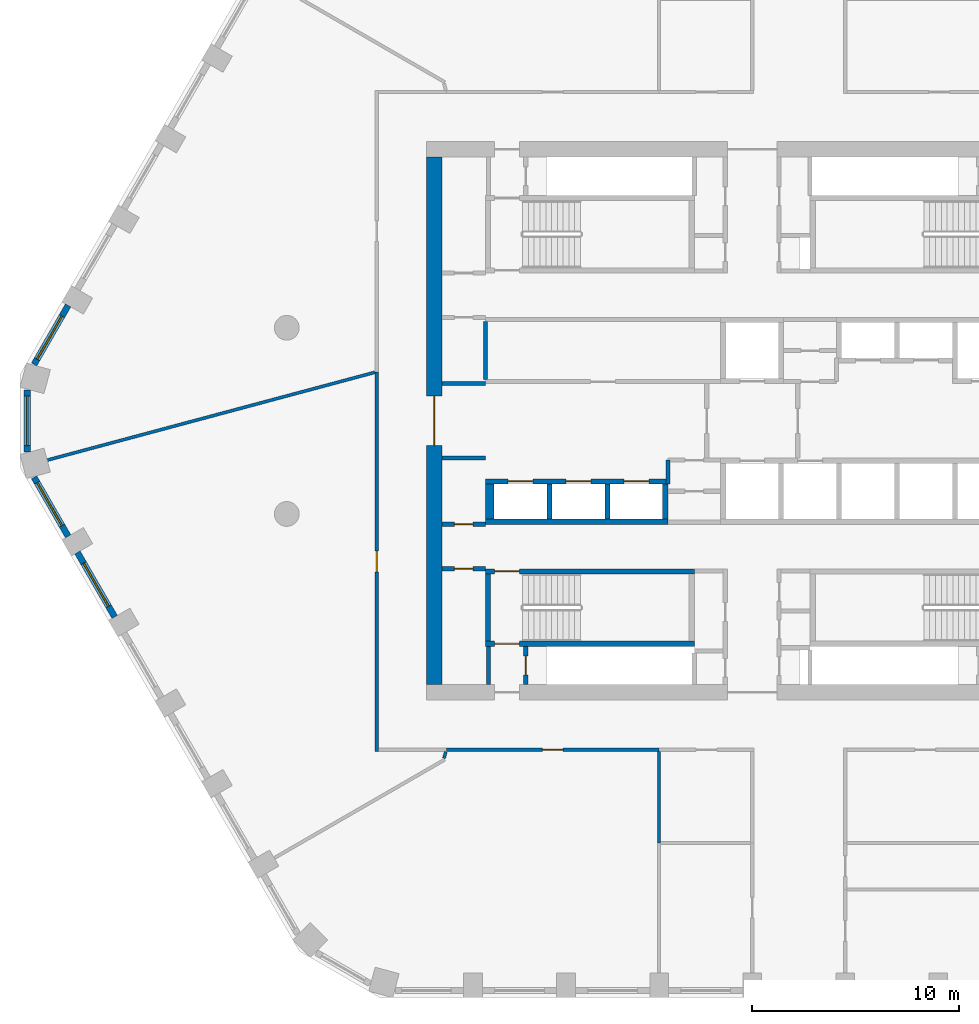
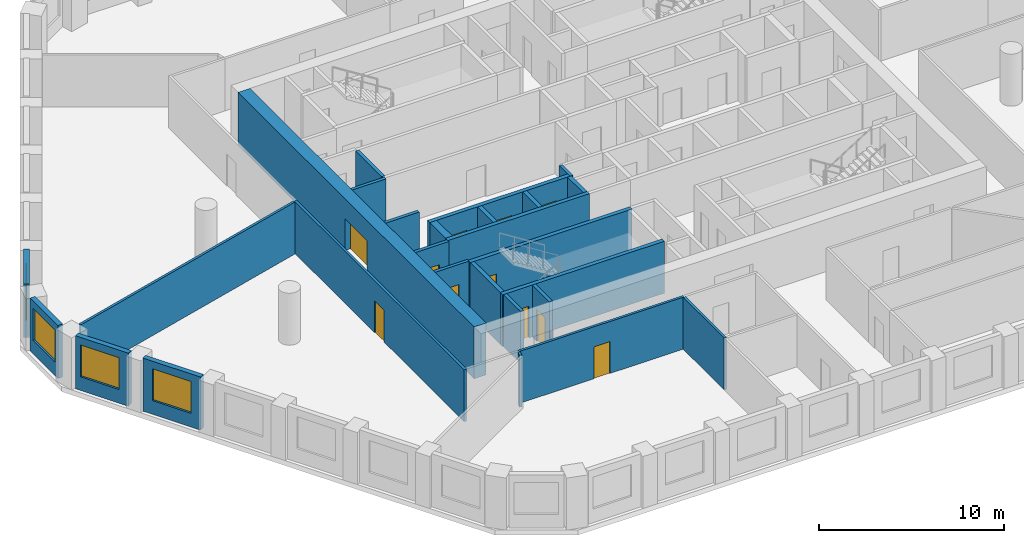
# One storey, part 2 of 9: 27 walls, 11 doors, 4 windows, 15 openings.
"""IFC4 building model written with IfcOpenShell, lengths in metres."""

from ifc_helpers import new_model, si_unit, direction, frame, frame_2d, origin, place, context, subcontext, project, spatial, polyline, rectangle, outline, extrude, material, layer, layer_set, type_object, element, fill, save


model = new_model("IFC4")

# Units and contexts
model_context = context("Model", 3, precision=1e-05, world=origin(), true_north=direction((0.0, 1.0)))
body_context = subcontext(model_context, "Body", "Model", "MODEL_VIEW")
ifc_project = project(units=[si_unit("LENGTHUNIT", "METRE"), si_unit("AREAUNIT", "SQUARE_METRE"), si_unit("VOLUMEUNIT", "CUBIC_METRE"), si_unit("PLANEANGLEUNIT", "RADIAN"), si_unit("MASSUNIT", "GRAM", prefix="KILO")], contexts=[model_context])

# Site, building, storey
site_placement = place(None, origin())
site = spatial("IfcSite", under=ifc_project, at=site_placement, CompositionType="ELEMENT")
building_placement = place(site_placement, origin())
building = spatial("IfcBuilding", under=site, at=building_placement, Name="Dhurran Vertical Campus", CompositionType="ELEMENT")
storey_placement = place(building_placement, frame((0.0, 0.0, 175.5)))
storey = spatial("IfcBuildingStorey", under=building, at=storey_placement, Name="L43", CompositionType="ELEMENT", Elevation=175.5)

# Wall, opening, window
ifc_material_1 = material(Name="Precast concrete C50/60", Category="concrete")
ifc_layer_1 = layer(ifc_material_1, 0.300048828125)
ifc_layer_set_1 = layer_set([ifc_layer_1], Name="Precast concrete C50/60")
wall_type_1 = type_object("IfcWallType", Name="Precast spandrel wall 300", PredefinedType="SOLIDWALL", material=ifc_layer_set_1)
wall_1_placement = place(storey_placement, frame((-33.0693359375, 5.58203125, 0.0), z_axis=(0.0, 0.0, 1.0), x_axis=(-0.499981217486, -0.866036247602, 0.0)))
wall_1 = element("IfcWall", 1, at=wall_1_placement, inside=storey, type_object=wall_type_1, Name="EW1 L43.37", PredefinedType="SOLIDWALL", context=body_context, shape_type="SweptSolid", body=[
    extrude(rectangle(XDim=3.294189453125, YDim=0.300048828125, at=frame_2d((1.64697265625, 0.0))), origin(), (0.0, 0.0, 1.0), 3.5),
])
opening_1_placement = place(wall_1_placement, frame((0.599609375, 0.0, 0.89990234375)))
opening_1 = element("IfcOpeningElement", 2, at=opening_1_placement, cuts=wall_1, Name="Opening WT1", PredefinedType="OPENING", context=body_context, shape_type="SweptSolid", body=[
    extrude(rectangle(XDim=2.39990234375, YDim=2.10009765625, at=frame_2d((1.199951171875, 1.050048828125))), frame((0.0, 0.159912109375, 0.0), z_axis=(0.0, -1.0, 0.0), x_axis=(1.0, 0.0, 0.0)), (0.0, 0.0, 1.0), 0.320068359375),
])
ifc_material_2 = material(Name="Aluminium frame with solar-control glass", Category="aluminium")
window_type = type_object("IfcWindowType", Name="Punched window 2400 x 2100", PartitioningType="SINGLE_PANEL", PredefinedType="WINDOW", material=ifc_material_2)
window_1_placement = place(opening_1_placement, origin())
window_1 = element("IfcWindow", 3, at=window_1_placement, inside=storey, type_object=window_type, Name="WT1 L43.37", OverallHeight=2.10009765625, OverallWidth=2.39990234375, PartitioningType="SINGLE_PANEL", PredefinedType="WINDOW", context=body_context, shape_type="SweptSolid", body=[
    extrude(rectangle(XDim=2.39990234375, YDim=2.10009765625, at=frame_2d((1.199951171875, 1.050048828125))), frame((0.0, 0.030029296875, 0.0), z_axis=(0.0, -1.0, 0.0), x_axis=(1.0, 0.0, 0.0)), (0.0, 0.0, 1.0), 0.06005859375),
])
fill(opening_1, window_1)

wall_2_placement = place(storey_placement, frame((-35.047119140625, 1.49462890625, 0.0), z_axis=(0.0, 0.0, 1.0), x_axis=(0.0, -1.0, 0.0)))
wall_2 = element("IfcWall", 4, at=wall_2_placement, inside=storey, type_object=wall_type_1, Name="EW1 L43.38", PredefinedType="SOLIDWALL", context=body_context, shape_type="SweptSolid", body=[
    extrude(rectangle(XDim=2.9892578125, YDim=0.300048828125, at=frame_2d((1.49462890625, 0.0))), origin(), (0.0, 0.0, 1.0), 3.5),
])
opening_2_placement = place(wall_2_placement, frame((0.294677734375, 0.0, 0.89990234375)))
opening_2 = element("IfcOpeningElement", 5, at=opening_2_placement, cuts=wall_2, Name="Opening WT1", PredefinedType="OPENING", context=body_context, shape_type="SweptSolid", body=[
    extrude(rectangle(XDim=2.39990234375, YDim=2.10009765625, at=frame_2d((1.199951171875, 1.050048828125))), frame((0.0, 0.159912109375, 0.0), z_axis=(0.0, -1.0, 0.0), x_axis=(1.0, 0.0, 0.0)), (0.0, 0.0, 1.0), 0.320068359375),
])
window_2_placement = place(opening_2_placement, origin())
window_2 = element("IfcWindow", 6, at=window_2_placement, inside=storey, type_object=window_type, Name="WT1 L43.38", OverallHeight=2.10009765625, OverallWidth=2.39990234375, PartitioningType="SINGLE_PANEL", PredefinedType="WINDOW", context=body_context, shape_type="SweptSolid", body=[
    extrude(rectangle(XDim=2.39990234375, YDim=2.10009765625, at=frame_2d((1.199951171875, 1.050048828125))), frame((0.0, 0.030029296875, 0.0), z_axis=(0.0, -1.0, 0.0), x_axis=(1.0, 0.0, 0.0)), (0.0, 0.0, 1.0), 0.06005859375),
])
fill(opening_2, window_2)

wall_3_placement = place(storey_placement, frame((-34.71630859375, -2.729248046875, 0.0), z_axis=(0.0, 0.0, 1.0), x_axis=(0.499981217486, -0.866036247602, 0.0)))
wall_3 = element("IfcWall", 7, at=wall_3_placement, inside=storey, type_object=wall_type_1, Name="EW1 L43.39", PredefinedType="SOLIDWALL", context=body_context, shape_type="SweptSolid", body=[
    extrude(rectangle(XDim=3.294189453125, YDim=0.300048828125, at=frame_2d((1.64697265625, 0.0))), origin(), (0.0, 0.0, 1.0), 3.5),
])
opening_3_placement = place(wall_3_placement, frame((0.294677734375, 0.0, 0.89990234375)))
opening_3 = element("IfcOpeningElement", 8, at=opening_3_placement, cuts=wall_3, Name="Opening WT1", PredefinedType="OPENING", context=body_context, shape_type="SweptSolid", body=[
    extrude(rectangle(XDim=2.39990234375, YDim=2.10009765625, at=frame_2d((1.199951171875, 1.050048828125))), frame((0.0, 0.159912109375, 0.0), z_axis=(0.0, -1.0, 0.0), x_axis=(1.0, 0.0, 0.0)), (0.0, 0.0, 1.0), 0.320068359375),
])
window_3_placement = place(opening_3_placement, origin())
window_3 = element("IfcWindow", 9, at=window_3_placement, inside=storey, type_object=window_type, Name="WT1 L43.39", OverallHeight=2.10009765625, OverallWidth=2.39990234375, PartitioningType="SINGLE_PANEL", PredefinedType="WINDOW", context=body_context, shape_type="SweptSolid", body=[
    extrude(rectangle(XDim=2.39990234375, YDim=2.10009765625, at=frame_2d((1.199951171875, 1.050048828125))), frame((0.0, 0.030029296875, 0.0), z_axis=(0.0, -1.0, 0.0), x_axis=(1.0, 0.0, 0.0)), (0.0, 0.0, 1.0), 0.06005859375),
])
fill(opening_3, window_3)

wall_4_placement = place(storey_placement, frame((-32.618896484375, -6.3623046875, 0.0), z_axis=(0.0, 0.0, 1.0), x_axis=(0.500027802648, -0.866009351323, 0.0)))
wall_4 = element("IfcWall", 10, at=wall_4_placement, inside=storey, type_object=wall_type_1, Name="EW1 L43.40", PredefinedType="SOLIDWALL", context=body_context, shape_type="SweptSolid", body=[
    extrude(rectangle(XDim=3.598876953125, YDim=0.300048828125, at=frame_2d((1.79931640625, 0.0))), origin(), (0.0, 0.0, 1.0), 3.5),
])
opening_4_placement = place(wall_4_placement, frame((0.599609375, 0.0, 0.89990234375)))
opening_4 = element("IfcOpeningElement", 11, at=opening_4_placement, cuts=wall_4, Name="Opening WT1", PredefinedType="OPENING", context=body_context, shape_type="SweptSolid", body=[
    extrude(rectangle(XDim=2.39990234375, YDim=2.10009765625, at=frame_2d((1.199951171875, 1.050048828125))), frame((0.0, 0.159912109375, 0.0), z_axis=(0.0, -1.0, 0.0), x_axis=(1.0, 0.0, 0.0)), (0.0, 0.0, 1.0), 0.320068359375),
])
window_4_placement = place(opening_4_placement, origin())
window_4 = element("IfcWindow", 12, at=window_4_placement, inside=storey, type_object=window_type, Name="WT1 L43.40", OverallHeight=2.10009765625, OverallWidth=2.39990234375, PartitioningType="SINGLE_PANEL", PredefinedType="WINDOW", context=body_context, shape_type="SweptSolid", body=[
    extrude(rectangle(XDim=2.39990234375, YDim=2.10009765625, at=frame_2d((1.199951171875, 1.050048828125))), frame((0.0, 0.030029296875, 0.0), z_axis=(0.0, -1.0, 0.0), x_axis=(1.0, 0.0, 0.0)), (0.0, 0.0, 1.0), 0.06005859375),
])
fill(opening_4, window_4)

# Wall, opening, door
ifc_material_3 = material(Name="Concrete C60/75", Category="concrete")
ifc_layer_2 = layer(ifc_material_3, 0.75)
ifc_layer_set_2 = layer_set([ifc_layer_2], Name="Concrete C60/75")
wall_type_2 = type_object("IfcWallType", Name="co-CORE-WALL-C1-750", PredefinedType="SHEAR", material=ifc_layer_set_2)
wall_5_placement = place(storey_placement, frame((-15.375, -12.75, 0.0), z_axis=(0.0, 0.0, 1.0), x_axis=(0.0, 1.0, 0.0)))
wall_5 = element("IfcWall", 13, at=wall_5_placement, inside=storey, type_object=wall_type_2, Name="Core wall W L43", PredefinedType="SHEAR", context=body_context, shape_type="SweptSolid", body=[
    extrude(rectangle(XDim=25.5, YDim=0.75, at=frame_2d((12.75, 0.0))), origin(), (0.0, 0.0, 1.0), 3.425048828125),
])
opening_5_placement = place(wall_5_placement, frame((11.550048828125, 0.0, 0.0)))
opening_5 = element("IfcOpeningElement", 14, at=opening_5_placement, cuts=wall_5, Name="Opening CL1", PredefinedType="OPENING", context=body_context, shape_type="SweptSolid", body=[
    extrude(rectangle(XDim=2.39990234375, YDim=2.10009765625, at=frame_2d((1.199951171875, 1.050048828125))), frame((0.0, 0.385009765625, 0.0), z_axis=(0.0, -1.0, 0.0), x_axis=(1.0, 0.0, 0.0)), (0.0, 0.0, 1.0), 0.77001953125),
])
ifc_material_4 = material(Name="Fire-rated glazed door set")
door_type_1 = type_object("IfcDoorType", Name="co-D-LOBBY 2400x2100", OperationType="DOUBLE_DOOR_DOUBLE_SWING", PredefinedType="DOOR", material=ifc_material_4)
door_1_placement = place(opening_5_placement, origin())
door_1 = element("IfcDoor", 15, at=door_1_placement, inside=storey, type_object=door_type_1, Name="Lift lobby door W L43", OperationType="DOUBLE_DOOR_DOUBLE_SWING", OverallHeight=2.10009765625, OverallWidth=2.39990234375, PredefinedType="DOOR", context=body_context, shape_type="SweptSolid", body=[
    extrude(rectangle(XDim=2.39990234375, YDim=2.10009765625, at=frame_2d((1.199951171875, 1.050048828125))), frame((0.0, 0.02490234375, 0.0), z_axis=(0.0, -1.0, 0.0), x_axis=(1.0, 0.0, 0.0)), (0.0, 0.0, 1.0), 0.050048828125),
])
fill(opening_5, door_1)

# Wall
ifc_material_5 = material(Name="Fire-rated masonry blockwork", Category="masonry")
ifc_layer_3 = layer(ifc_material_5, 0.199951171875)
ifc_layer_set_3 = layer_set([ifc_layer_3], Name="Fire-rated masonry blockwork")
wall_type_3 = type_object("IfcWallType", Name="co-FIRE-PARTITION-200", PredefinedType="PARTITIONING", material=ifc_layer_set_3)
wall_6_placement = place(storey_placement, frame((-12.75, -12.75, 0.0), z_axis=(0.0, 0.0, 1.0), x_axis=(0.0, 1.0, 0.0)))
element("IfcWall", 16, at=wall_6_placement, inside=storey, type_object=wall_type_3, Name="Core partition pass-ST3-o L43", PredefinedType="PARTITIONING", context=body_context, shape_type="SweptSolid", body=[
    extrude(rectangle(XDim=1.85009765625, YDim=0.199951171875, at=frame_2d((0.925048828125, 0.0))), origin(), (0.0, 0.0, 1.0), 3.425048828125),
])

# Wall, opening, door
wall_7_placement = place(storey_placement, frame((-10.949951171875, -12.75, 0.0), z_axis=(0.0, 0.0, 1.0), x_axis=(0.0, 1.0, 0.0)))
wall_7 = element("IfcWall", 17, at=wall_7_placement, inside=storey, type_object=wall_type_3, Name="Core partition pass-ST3-i L43", PredefinedType="PARTITIONING", context=body_context, shape_type="SweptSolid", body=[
    extrude(rectangle(XDim=1.85009765625, YDim=0.199951171875, at=frame_2d((0.925048828125, 0.0))), origin(), (0.0, 0.0, 1.0), 3.425048828125),
])
opening_6_placement = place(wall_7_placement, frame((0.47509765625, 0.0, 0.0)))
opening_6 = element("IfcOpeningElement", 18, at=opening_6_placement, cuts=wall_7, Name="Opening T12-C12", PredefinedType="OPENING", context=body_context, shape_type="SweptSolid", body=[
    extrude(rectangle(XDim=0.89990234375, YDim=2.10009765625, at=frame_2d((0.449951171875, 1.050048828125))), frame((0.0, 0.10986328125, 0.0), z_axis=(0.0, -1.0, 0.0), x_axis=(1.0, 0.0, 0.0)), (0.0, 0.0, 1.0), 0.219970703125),
])
ifc_material_6 = material(Name="Fire-rated timber door set", Category="wood")
door_type_2 = type_object("IfcDoorType", Name="co-D-ROOM 900x2100", OperationType="SINGLE_SWING_LEFT", PredefinedType="DOOR", material=ifc_material_6)
door_2_placement = place(opening_6_placement, origin())
door_2 = element("IfcDoor", 19, at=door_2_placement, inside=storey, type_object=door_type_2, Name="Riser room door L43", OperationType="SINGLE_SWING_LEFT", OverallHeight=2.10009765625, OverallWidth=0.89990234375, PredefinedType="DOOR", context=body_context, shape_type="SweptSolid", body=[
    extrude(rectangle(XDim=0.89990234375, YDim=2.10009765625, at=frame_2d((0.449951171875, 1.050048828125))), frame((0.0, 0.02490234375, 0.0), z_axis=(0.0, -1.0, 0.0), x_axis=(1.0, 0.0, 0.0)), (0.0, 0.0, 1.0), 0.050048828125),
])
fill(opening_6, door_2)

# Wall
wall_8_placement = place(storey_placement, frame((-15.0, 1.800048828125, 0.0), z_axis=(0.0, 0.0, 1.0), x_axis=(1.0, 0.0, 0.0)))
element("IfcWall", 20, at=wall_8_placement, inside=storey, type_object=wall_type_3, Name="Core partition es-NW-l L43", PredefinedType="PARTITIONING", context=body_context, shape_type="SweptSolid", body=[
    extrude(rectangle(XDim=2.10009765625, YDim=0.199951171875, at=frame_2d((1.050048828125, 0.0))), origin(), (0.0, 0.0, 1.0), 3.425048828125),
])

# Wall, opening, door
wall_9_placement = place(storey_placement, frame((-15.0, -7.14990234375, 0.0), z_axis=(0.0, 0.0, 1.0), x_axis=(1.0, 0.0, 0.0)))
wall_9 = element("IfcWall", 21, at=wall_9_placement, inside=storey, type_object=wall_type_3, Name="Core partition en-SW-w L43", PredefinedType="PARTITIONING", context=body_context, shape_type="SweptSolid", body=[
    extrude(rectangle(XDim=2.10009765625, YDim=0.199951171875, at=frame_2d((1.050048828125, 0.0))), origin(), (0.0, 0.0, 1.0), 3.425048828125),
])
opening_7_placement = place(wall_9_placement, frame((0.60009765625, 0.0, 0.0)))
opening_7 = element("IfcOpeningElement", 22, at=opening_7_placement, cuts=wall_9, Name="Opening T12-C18", PredefinedType="OPENING", context=body_context, shape_type="SweptSolid", body=[
    extrude(rectangle(XDim=0.89990234375, YDim=2.10009765625, at=frame_2d((0.449951171875, 1.050048828125))), frame((0.0, 0.10986328125, 0.0), z_axis=(0.0, -1.0, 0.0), x_axis=(1.0, 0.0, 0.0)), (0.0, 0.0, 1.0), 0.219970703125),
])
door_3_placement = place(opening_7_placement, origin())
door_3 = element("IfcDoor", 23, at=door_3_placement, inside=storey, type_object=door_type_2, Name="Waste room door L43", OperationType="SINGLE_SWING_LEFT", OverallHeight=2.10009765625, OverallWidth=0.89990234375, PredefinedType="DOOR", context=body_context, shape_type="SweptSolid", body=[
    extrude(rectangle(XDim=0.89990234375, YDim=2.10009765625, at=frame_2d((0.449951171875, 1.050048828125))), frame((0.0, 0.02490234375, 0.0), z_axis=(0.0, -1.0, 0.0), x_axis=(1.0, 0.0, 0.0)), (0.0, 0.0, 1.0), 0.050048828125),
])
fill(opening_7, door_3)

wall_10_placement = place(storey_placement, frame((-15.0, -5.0, 0.0), z_axis=(0.0, 0.0, 1.0), x_axis=(1.0, 0.0, 0.0)))
wall_10 = element("IfcWall", 24, at=wall_10_placement, inside=storey, type_object=wall_type_3, Name="Core partition es-SW-w L43", PredefinedType="PARTITIONING", context=body_context, shape_type="SweptSolid", body=[
    extrude(rectangle(XDim=2.10009765625, YDim=0.199951171875, at=frame_2d((1.050048828125, 0.0))), origin(), (0.0, 0.0, 1.0), 3.425048828125),
])
opening_8_placement = place(wall_10_placement, frame((0.60009765625, 0.0, 0.0)))
opening_8 = element("IfcOpeningElement", 25, at=opening_8_placement, cuts=wall_10, Name="Opening T12-C19", PredefinedType="OPENING", context=body_context, shape_type="SweptSolid", body=[
    extrude(rectangle(XDim=0.89990234375, YDim=2.10009765625, at=frame_2d((0.449951171875, 1.050048828125))), frame((0.0, 0.10986328125, 0.0), z_axis=(0.0, -1.0, 0.0), x_axis=(1.0, 0.0, 0.0)), (0.0, 0.0, 1.0), 0.219970703125),
])
door_4_placement = place(opening_8_placement, origin())
door_4 = element("IfcDoor", 26, at=door_4_placement, inside=storey, type_object=door_type_2, Name="Print room door L43", OperationType="SINGLE_SWING_LEFT", OverallHeight=2.10009765625, OverallWidth=0.89990234375, PredefinedType="DOOR", context=body_context, shape_type="SweptSolid", body=[
    extrude(rectangle(XDim=0.89990234375, YDim=2.10009765625, at=frame_2d((0.449951171875, 1.050048828125))), frame((0.0, 0.02490234375, 0.0), z_axis=(0.0, -1.0, 0.0), x_axis=(1.0, 0.0, 0.0)), (0.0, 0.0, 1.0), 0.050048828125),
])
fill(opening_8, door_4)

# Walls
wall_11_placement = place(storey_placement, frame((-15.0, -1.800048828125, 0.0), z_axis=(0.0, 0.0, 1.0), x_axis=(1.0, 0.0, 0.0)))
element("IfcWall", 27, at=wall_11_placement, inside=storey, type_object=wall_type_3, Name="Core partition es-SW-l L43", PredefinedType="PARTITIONING", context=body_context, shape_type="SweptSolid", body=[
    extrude(rectangle(XDim=2.10009765625, YDim=0.199951171875, at=frame_2d((1.050048828125, 0.0))), origin(), (0.0, 0.0, 1.0), 3.425048828125),
])
wall_12_placement = place(storey_placement, frame((-12.89990234375, 2.0, 0.0), z_axis=(0.0, 0.0, 1.0), x_axis=(0.0, 1.0, 0.0)))
element("IfcWall", 28, at=wall_12_placement, inside=storey, type_object=wall_type_3, Name="Core partition fr-N0-e0 L43", PredefinedType="PARTITIONING", context=body_context, shape_type="SweptSolid", body=[
    extrude(rectangle(XDim=2.800048828125, YDim=0.199951171875, at=frame_2d((1.39990234375, 0.0))), origin(), (0.0, 0.0, 1.0), 3.425048828125),
])
wall_13_placement = place(storey_placement, frame((-4.074951171875, -1.89990234375, 0.0), z_axis=(0.0, 0.0, 1.0), x_axis=(0.0, -1.0, 0.0)))
element("IfcWall", 29, at=wall_13_placement, inside=storey, type_object=wall_type_3, Name="Core partition fr-S0-n0 L43", PredefinedType="PARTITIONING", context=body_context, shape_type="SweptSolid", body=[
    extrude(rectangle(XDim=1.150146484375, YDim=0.199951171875, at=frame_2d((0.5751953125, 0.0))), origin(), (0.0, 0.0, 1.0), 3.425048828125),
])

# Wall, openings, doors
ifc_material_7 = material(Name="Concrete C50/60", Category="concrete")
ifc_layer_4 = layer(ifc_material_7, 0.25)
ifc_layer_set_4 = layer_set([ifc_layer_4], Name="Concrete C50/60")
wall_type_4 = type_object("IfcWallType", Name="co-SHAFT-FRONT-250", PredefinedType="SHEAR", material=ifc_layer_set_4)
wall_14_placement = place(storey_placement, frame((-12.89990234375, -2.925048828125, 0.0), z_axis=(0.0, 0.0, 1.0), x_axis=(1.0, 0.0, 0.0)))
wall_14 = element("IfcWall", 30, at=wall_14_placement, inside=storey, type_object=wall_type_4, Name="Lift landing wall S L43", PredefinedType="SHEAR", context=body_context, shape_type="SweptSolid", body=[
    extrude(rectangle(XDim=8.824951171875, YDim=0.25, at=frame_2d((4.41259765625, 0.0))), origin(), (0.0, 0.0, 1.0), 3.425048828125),
])
opening_9_placement = place(wall_14_placement, frame((1.10009765625, 0.0, 0.0)))
opening_9 = element("IfcOpeningElement", 31, at=opening_9_placement, cuts=wall_14, Name="Opening LD", PredefinedType="OPENING", context=body_context, shape_type="SweptSolid", body=[
    extrude(rectangle(XDim=1.199951171875, YDim=2.10009765625, at=frame_2d((0.60009765625, 1.050048828125))), frame((0.0, 0.135009765625, 0.0), z_axis=(0.0, -1.0, 0.0), x_axis=(1.0, 0.0, 0.0)), (0.0, 0.0, 1.0), 0.27001953125),
])
opening_10_placement = place(wall_14_placement, frame((3.89990234375, 0.0, 0.0)))
opening_10 = element("IfcOpeningElement", 32, at=opening_10_placement, cuts=wall_14, Name="Opening LD", PredefinedType="OPENING", context=body_context, shape_type="SweptSolid", body=[
    extrude(rectangle(XDim=1.199951171875, YDim=2.10009765625, at=frame_2d((0.60009765625, 1.050048828125))), frame((0.0, 0.135009765625, 0.0), z_axis=(0.0, -1.0, 0.0), x_axis=(1.0, 0.0, 0.0)), (0.0, 0.0, 1.0), 0.27001953125),
])
opening_11_placement = place(wall_14_placement, frame((6.699951171875, 0.0, 0.0)))
opening_11 = element("IfcOpeningElement", 33, at=opening_11_placement, cuts=wall_14, Name="Opening LD", PredefinedType="OPENING", context=body_context, shape_type="SweptSolid", body=[
    extrude(rectangle(XDim=1.199951171875, YDim=2.10009765625, at=frame_2d((0.60009765625, 1.050048828125))), frame((0.0, 0.135009765625, 0.0), z_axis=(0.0, -1.0, 0.0), x_axis=(1.0, 0.0, 0.0)), (0.0, 0.0, 1.0), 0.27001953125),
])
ifc_material_8 = material(Name="Stainless steel landing door", Category="steel")
door_type_3 = type_object("IfcDoorType", Name="co-D-LANDING 1200x2100", OperationType="DOUBLE_DOOR_SLIDING", PredefinedType="DOOR", material=ifc_material_8)
door_5_placement = place(opening_9_placement, origin())
door_5 = element("IfcDoor", 34, at=door_5_placement, inside=storey, type_object=door_type_3, Name="Landing door MR3 L43", OperationType="DOUBLE_DOOR_SLIDING", OverallHeight=2.10009765625, OverallWidth=1.199951171875, PredefinedType="DOOR", context=body_context, shape_type="SweptSolid", body=[
    extrude(rectangle(XDim=1.199951171875, YDim=2.10009765625, at=frame_2d((0.60009765625, 1.050048828125))), frame((0.0, 0.02490234375, 0.0), z_axis=(0.0, -1.0, 0.0), x_axis=(1.0, 0.0, 0.0)), (0.0, 0.0, 1.0), 0.050048828125),
])
fill(opening_9, door_5)
door_6_placement = place(opening_10_placement, origin())
door_6 = element("IfcDoor", 35, at=door_6_placement, inside=storey, type_object=door_type_3, Name="Landing door MR4 L43", OperationType="DOUBLE_DOOR_SLIDING", OverallHeight=2.10009765625, OverallWidth=1.199951171875, PredefinedType="DOOR", context=body_context, shape_type="SweptSolid", body=[
    extrude(rectangle(XDim=1.199951171875, YDim=2.10009765625, at=frame_2d((0.60009765625, 1.050048828125))), frame((0.0, 0.02490234375, 0.0), z_axis=(0.0, -1.0, 0.0), x_axis=(1.0, 0.0, 0.0)), (0.0, 0.0, 1.0), 0.050048828125),
])
fill(opening_10, door_6)
door_7_placement = place(opening_11_placement, origin())
door_7 = element("IfcDoor", 36, at=door_7_placement, inside=storey, type_object=door_type_3, Name="Landing door MR5 L43", OperationType="DOUBLE_DOOR_SLIDING", OverallHeight=2.10009765625, OverallWidth=1.199951171875, PredefinedType="DOOR", context=body_context, shape_type="SweptSolid", body=[
    extrude(rectangle(XDim=1.199951171875, YDim=2.10009765625, at=frame_2d((0.60009765625, 1.050048828125))), frame((0.0, 0.02490234375, 0.0), z_axis=(0.0, -1.0, 0.0), x_axis=(1.0, 0.0, 0.0)), (0.0, 0.0, 1.0), 0.050048828125),
])
fill(opening_11, door_7)

# Walls
ifc_material_9 = material(Name="Concrete C50/60", Category="concrete")
ifc_layer_5 = layer(ifc_material_9, 0.25)
ifc_layer_set_5 = layer_set([ifc_layer_5], Name="Concrete C50/60")
wall_type_5 = type_object("IfcWallType", Name="co-SHAFT-MASS-250", PredefinedType="SHEAR", material=ifc_layer_set_5)
wall_15_placement = place(storey_placement, origin())
element("IfcWall", 37, at=wall_15_placement, inside=storey, type_object=wall_type_5, Name="Lift shaft wall S L43 1", PredefinedType="SHEAR", context=body_context, shape_type="SweptSolid", body=[
    extrude(outline(polyline([(-12.89990234375, -5.0), (-4.074951171875, -5.0), (-4.074951171875, -4.75), (-12.89990234375, -4.75), (-12.89990234375, -5.0)])), origin(), (0.0, 0.0, 1.0), 3.425048828125),
])
wall_16_placement = place(storey_placement, origin())
element("IfcWall", 38, at=wall_16_placement, inside=storey, type_object=wall_type_5, Name="Lift shaft wall S L43 3", PredefinedType="SHEAR", context=body_context, shape_type="SweptSolid", body=[
    extrude(outline(polyline([(-12.89990234375, -4.75), (-12.47509765625, -4.75), (-12.47509765625, -3.050048828125), (-12.89990234375, -3.050048828125), (-12.89990234375, -4.75)])), origin(), (0.0, 0.0, 1.0), 3.425048828125),
])
wall_17_placement = place(storey_placement, origin())
element("IfcWall", 39, at=wall_17_placement, inside=storey, type_object=wall_type_5, Name="Lift shaft wall S L43 4", PredefinedType="SHEAR", context=body_context, shape_type="SweptSolid", body=[
    extrude(outline(polyline([(-9.925048828125, -4.75), (-9.675048828125, -4.75), (-9.675048828125, -3.050048828125), (-9.925048828125, -3.050048828125), (-9.925048828125, -4.75)])), origin(), (0.0, 0.0, 1.0), 3.425048828125),
])
wall_18_placement = place(storey_placement, origin())
element("IfcWall", 40, at=wall_18_placement, inside=storey, type_object=wall_type_5, Name="Lift shaft wall S L43 5", PredefinedType="SHEAR", context=body_context, shape_type="SweptSolid", body=[
    extrude(outline(polyline([(-7.125, -4.75), (-6.875, -4.75), (-6.875, -3.050048828125), (-7.125, -3.050048828125), (-7.125, -4.75)])), origin(), (0.0, 0.0, 1.0), 3.425048828125),
])
wall_19_placement = place(storey_placement, origin())
element("IfcWall", 41, at=wall_19_placement, inside=storey, type_object=wall_type_5, Name="Lift shaft wall S L43 6", PredefinedType="SHEAR", context=body_context, shape_type="SweptSolid", body=[
    extrude(outline(polyline([(-4.324951171875, -4.75), (-4.074951171875, -4.75), (-4.074951171875, -3.050048828125), (-4.324951171875, -3.050048828125), (-4.324951171875, -4.75)])), origin(), (0.0, 0.0, 1.0), 3.425048828125),
])

# Wall, opening, door
ifc_material_10 = material(Name="Concrete C40/50", Category="concrete")
ifc_layer_6 = layer(ifc_material_10, 0.25)
ifc_layer_set_6 = layer_set([ifc_layer_6], Name="Concrete C40/50")
wall_type_6 = type_object("IfcWallType", Name="co-STAIR-WALL-250", PredefinedType="SHEAR", material=ifc_layer_set_6)
wall_20_placement = place(storey_placement, frame((-12.89990234375, -10.77490234375, 0.0), z_axis=(0.0, 0.0, 1.0), x_axis=(1.0, 0.0, 0.0)))
wall_20 = element("IfcWall", 42, at=wall_20_placement, inside=storey, type_object=wall_type_6, Name="Stair ST3 enclosure wall L43", PredefinedType="SHEAR", context=body_context, shape_type="SweptSolid", body=[
    extrude(rectangle(XDim=10.099853515625, YDim=0.25, at=frame_2d((5.0498046875, 0.0))), origin(), (0.0, 0.0, 1.0), 3.425048828125),
])
opening_12_placement = place(wall_20_placement, frame((0.449951171875, 0.0, 0.0)))
opening_12 = element("IfcOpeningElement", 43, at=opening_12_placement, cuts=wall_20, Name="Opening XS3", PredefinedType="OPENING", context=body_context, shape_type="SweptSolid", body=[
    extrude(rectangle(XDim=1.199951171875, YDim=2.10009765625, at=frame_2d((0.60009765625, 1.050048828125))), frame((0.0, 0.135009765625, 0.0), z_axis=(0.0, -1.0, 0.0), x_axis=(1.0, 0.0, 0.0)), (0.0, 0.0, 1.0), 0.27001953125),
])
ifc_material_11 = material(Name="Fire-rated steel door set", Category="steel")
door_type_4 = type_object("IfcDoorType", Name="co-D-STAIR-EXIT 1200x2100", OperationType="SINGLE_SWING_RIGHT", PredefinedType="DOOR", material=ifc_material_11)
door_8_placement = place(opening_12_placement, origin())
door_8 = element("IfcDoor", 44, at=door_8_placement, inside=storey, type_object=door_type_4, Name="Stair ST3 discharge door L43", OperationType="SINGLE_SWING_RIGHT", OverallHeight=2.10009765625, OverallWidth=1.199951171875, PredefinedType="DOOR", context=body_context, shape_type="SweptSolid", body=[
    extrude(rectangle(XDim=1.199951171875, YDim=2.10009765625, at=frame_2d((0.60009765625, 1.050048828125))), frame((0.0, 0.02490234375, 0.0), z_axis=(0.0, -1.0, 0.0), x_axis=(1.0, 0.0, 0.0)), (0.0, 0.0, 1.0), 0.050048828125),
])
fill(opening_12, door_8)

wall_21_placement = place(storey_placement, frame((-12.89990234375, -7.27490234375, 0.0), z_axis=(0.0, 0.0, 1.0), x_axis=(1.0, 0.0, 0.0)))
wall_21 = element("IfcWall", 45, at=wall_21_placement, inside=storey, type_object=wall_type_6, Name="Stair ST3 enclosure wall L43", PredefinedType="SHEAR", context=body_context, shape_type="SweptSolid", body=[
    extrude(rectangle(XDim=10.099853515625, YDim=0.25, at=frame_2d((5.0498046875, 0.0))), origin(), (0.0, 0.0, 1.0), 3.425048828125),
])
opening_13_placement = place(wall_21_placement, frame((0.449951171875, 0.0, 0.0)))
opening_13 = element("IfcOpeningElement", 46, at=opening_13_placement, cuts=wall_21, Name="Opening SD3", PredefinedType="OPENING", context=body_context, shape_type="SweptSolid", body=[
    extrude(rectangle(XDim=1.199951171875, YDim=2.10009765625, at=frame_2d((0.60009765625, 1.050048828125))), frame((0.0, 0.135009765625, 0.0), z_axis=(0.0, -1.0, 0.0), x_axis=(1.0, 0.0, 0.0)), (0.0, 0.0, 1.0), 0.27001953125),
])
ifc_material_12 = material(Name="Fire-rated steel door set", Category="steel")
door_type_5 = type_object("IfcDoorType", Name="co-D-STAIR 1200x2100", OperationType="SINGLE_SWING_LEFT", PredefinedType="DOOR", material=ifc_material_12)
door_9_placement = place(opening_13_placement, origin())
door_9 = element("IfcDoor", 47, at=door_9_placement, inside=storey, type_object=door_type_5, Name="Stair ST3 door L43", OperationType="SINGLE_SWING_LEFT", OverallHeight=2.10009765625, OverallWidth=1.199951171875, PredefinedType="DOOR", context=body_context, shape_type="SweptSolid", body=[
    extrude(rectangle(XDim=1.199951171875, YDim=2.10009765625, at=frame_2d((0.60009765625, 1.050048828125))), frame((0.0, 0.02490234375, 0.0), z_axis=(0.0, -1.0, 0.0), x_axis=(1.0, 0.0, 0.0)), (0.0, 0.0, 1.0), 0.050048828125),
])
fill(opening_13, door_9)

# Wall
wall_22_placement = place(storey_placement, frame((-12.77490234375, -10.64990234375, 0.0), z_axis=(0.0, 0.0, 1.0), x_axis=(0.0, 1.0, 0.0)))
element("IfcWall", 48, at=wall_22_placement, inside=storey, type_object=wall_type_6, Name="Stair ST3 enclosure wall L43", PredefinedType="SHEAR", context=body_context, shape_type="SweptSolid", body=[
    extrude(rectangle(XDim=3.25, YDim=0.25, at=frame_2d((1.625, 0.0))), origin(), (0.0, 0.0, 1.0), 3.425048828125),
])

# Wall, opening, door
ifc_material_13 = material(Name="Gypsum board corridor wall on steel studs", Category="steel")
ifc_layer_7 = layer(ifc_material_13, 0.14990234375)
ifc_layer_set_7 = layer_set([ifc_layer_7], Name="Gypsum board corridor wall on steel studs")
wall_type_7 = type_object("IfcWallType", Name="fl-CW-150 corridor wall", PredefinedType="PARTITIONING", material=ifc_layer_set_7)
wall_23_placement = place(storey_placement, frame((-18.14990234375, 2.37109375, 0.0), z_axis=(0.0, 0.0, 1.0), x_axis=(0.0, -1.0, 0.0)))
wall_23 = element("IfcWall", 49, at=wall_23_placement, inside=storey, type_object=wall_type_7, Name="Partition 43-04", PredefinedType="PARTITIONING", context=body_context, shape_type="SweptSolid", body=[
    extrude(rectangle(XDim=18.34619140625, YDim=0.14990234375, at=frame_2d((9.173095703125, 0.0))), origin(), (0.0, 0.0, 1.0), 3.425048828125),
])
opening_14_placement = place(wall_23_placement, frame((8.673095703125, 0.0, 0.0)))
opening_14 = element("IfcOpeningElement", 50, at=opening_14_placement, cuts=wall_23, Name="Opening T12.02", PredefinedType="OPENING", context=body_context, shape_type="SweptSolid", body=[
    extrude(rectangle(XDim=1.0, YDim=2.10009765625, at=frame_2d((0.5, 1.050048828125))), frame((0.0, 0.0849609375, 0.0), z_axis=(0.0, -1.0, 0.0), x_axis=(1.0, 0.0, 0.0)), (0.0, 0.0, 1.0), 0.169921875),
])
ifc_material_14 = material(Name="Solid-core timber door set, fire-rated", Category="wood")
door_type_6 = type_object("IfcDoorType", Name="fl-D-1000x2100", OperationType="SINGLE_SWING_LEFT", PredefinedType="DOOR", material=ifc_material_14)
door_10_placement = place(opening_14_placement, origin())
door_10 = element("IfcDoor", 51, at=door_10_placement, inside=storey, type_object=door_type_6, Name="Door 43.02", OperationType="SINGLE_SWING_RIGHT", OverallHeight=2.10009765625, OverallWidth=1.0, PredefinedType="DOOR", context=body_context, shape_type="SweptSolid", body=[
    extrude(rectangle(XDim=1.0, YDim=2.10009765625, at=frame_2d((0.5, 1.050048828125))), frame((0.0, 0.02490234375, 0.0), z_axis=(0.0, -1.0, 0.0), x_axis=(1.0, 0.0, 0.0)), (0.0, 0.0, 1.0), 0.050048828125),
])
fill(opening_14, door_10)

wall_24_placement = place(storey_placement, frame((-14.7890625, -15.89990234375, 0.0), z_axis=(0.0, 0.0, 1.0), x_axis=(1.0, 0.0, 0.0)))
wall_24 = element("IfcWall", 52, at=wall_24_placement, inside=storey, type_object=wall_type_7, Name="Partition 43-10", PredefinedType="PARTITIONING", context=body_context, shape_type="SweptSolid", body=[
    extrude(rectangle(XDim=10.2890625, YDim=0.14990234375, at=frame_2d((5.14453125, 0.0))), origin(), (0.0, 0.0, 1.0), 3.425048828125),
])
opening_15_placement = place(wall_24_placement, frame((4.64453125, 0.0, 0.0)))
opening_15 = element("IfcOpeningElement", 53, at=opening_15_placement, cuts=wall_24, Name="Opening T12.03", PredefinedType="OPENING", context=body_context, shape_type="SweptSolid", body=[
    extrude(rectangle(XDim=1.0, YDim=2.10009765625, at=frame_2d((0.5, 1.050048828125))), frame((0.0, 0.0849609375, 0.0), z_axis=(0.0, -1.0, 0.0), x_axis=(1.0, 0.0, 0.0)), (0.0, 0.0, 1.0), 0.169921875),
])
door_11_placement = place(opening_15_placement, origin())
door_11 = element("IfcDoor", 54, at=door_11_placement, inside=storey, type_object=door_type_6, Name="Door 43.03", OperationType="SINGLE_SWING_RIGHT", OverallHeight=2.10009765625, OverallWidth=1.0, PredefinedType="DOOR", context=body_context, shape_type="SweptSolid", body=[
    extrude(rectangle(XDim=1.0, YDim=2.10009765625, at=frame_2d((0.5, 1.050048828125))), frame((0.0, 0.02490234375, 0.0), z_axis=(0.0, -1.0, 0.0), x_axis=(1.0, 0.0, 0.0)), (0.0, 0.0, 1.0), 0.050048828125),
])
fill(opening_15, door_11)

# Walls
ifc_material_15 = material(Name="Gypsum board partition on steel studs", Category="steel")
ifc_layer_8 = layer(ifc_material_15, 0.14990234375)
ifc_layer_set_8 = layer_set([ifc_layer_8], Name="Gypsum board partition on steel studs")
wall_type_8 = type_object("IfcWallType", Name="fl-PW-150 fixed partition", PredefinedType="PARTITIONING", material=ifc_layer_set_8)
wall_25_placement = place(storey_placement, frame((-18.24169921875, 2.346435546875, 0.0), z_axis=(0.0, 0.0, 1.0), x_axis=(-0.965923767179, -0.258826729682, 0.0)))
element("IfcWall", 55, at=wall_25_placement, inside=storey, type_object=wall_type_8, Name="Partition 43-01", PredefinedType="PARTITIONING", context=body_context, shape_type="SweptSolid", body=[
    extrude(rectangle(XDim=16.379638671875, YDim=0.14990234375, at=frame_2d((8.18994140625, 0.0))), origin(), (0.0, 0.0, 1.0), 3.425048828125),
])
wall_26_placement = place(storey_placement, frame((-14.813720703125, -15.99169921875, 0.0), z_axis=(0.0, 0.0, 1.0), x_axis=(-0.257478443243, -0.966284042746, 0.0)))
element("IfcWall", 56, at=wall_26_placement, inside=storey, type_object=wall_type_8, Name="Partition 43-08", PredefinedType="PARTITIONING", context=body_context, shape_type="SweptSolid", body=[
    extrude(rectangle(XDim=0.330078125, YDim=0.14990234375, at=frame_2d((0.1650390625, 0.0))), origin(), (0.0, 0.0, 1.0), 3.425048828125),
])
wall_27_placement = place(storey_placement, frame((-4.5, -15.97509765625, 0.0), z_axis=(0.0, 0.0, 1.0), x_axis=(0.0, -1.0, 0.0)))
element("IfcWall", 57, at=wall_27_placement, inside=storey, type_object=wall_type_8, Name="Partition 43-13", PredefinedType="PARTITIONING", context=body_context, shape_type="SweptSolid", body=[
    extrude(rectangle(XDim=4.4248046875, YDim=0.14990234375, at=frame_2d((2.21240234375, 0.0))), origin(), (0.0, 0.0, 1.0), 3.425048828125),
])

save(model, "model.ifc")
